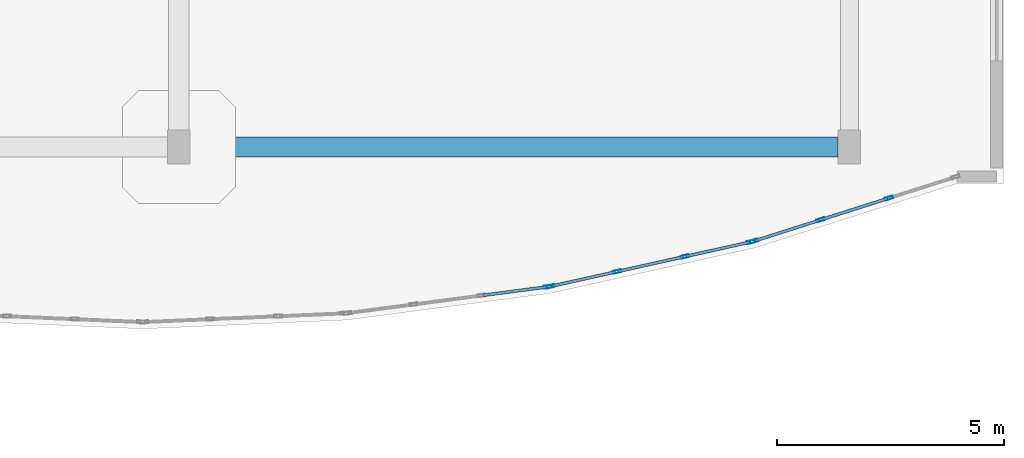
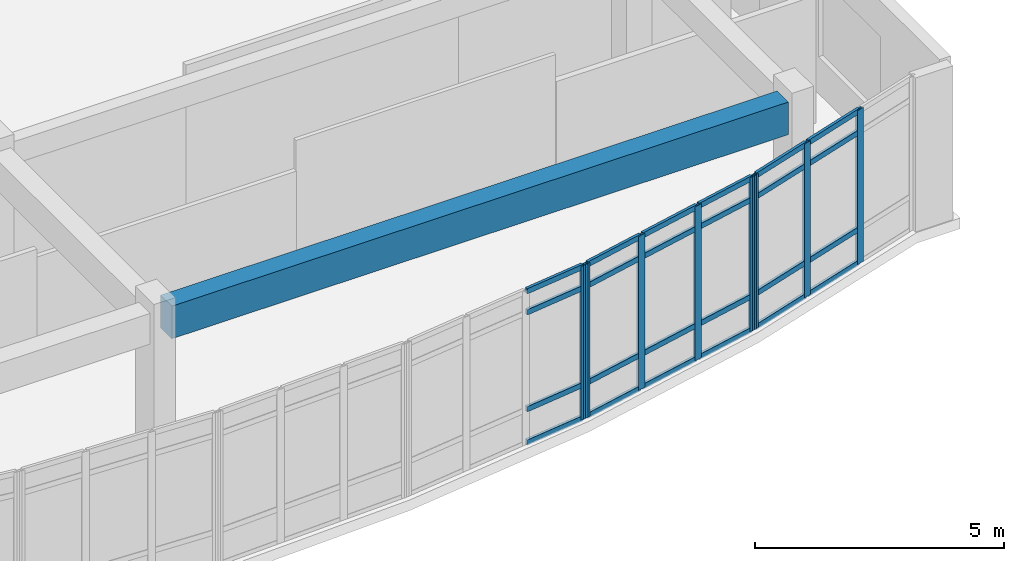
# One storey, part 55 of 91: 32 members, 1 beam, 3 elements without a shape of their own.
"""IFC4 building model written with IfcOpenShell, lengths in metres."""

from ifc_helpers import new_model, si_unit, direction, frame, origin, origin_2d, place, context, subcontext, project, spatial, rectangle, hollow_rectangle, extrude, material, layer, layer_set, material_profile, profile_set, type_object, element, aggregate, save


model = new_model("IFC4")

# Units and contexts
model_context = context("Model", 3, precision=1e-05, world=origin(), true_north=direction((0.0, 1.0)))
body_context = subcontext(model_context, "Body", "Model", "MODEL_VIEW")
ifc_project = project(units=[si_unit("LENGTHUNIT", "METRE"), si_unit("AREAUNIT", "SQUARE_METRE"), si_unit("VOLUMEUNIT", "CUBIC_METRE"), si_unit("PLANEANGLEUNIT", "RADIAN"), si_unit("MASSUNIT", "GRAM", prefix="KILO")], contexts=[model_context])

# Site, building, storey
site_placement = place(None, origin())
site = spatial("IfcSite", under=ifc_project, at=site_placement, CompositionType="ELEMENT")
building_placement = place(site_placement, origin())
building = spatial("IfcBuilding", under=site, at=building_placement, Name="Valcora Specialist Clinic", CompositionType="ELEMENT")
storey_placement = place(building_placement, frame((0.0, 0.0, 13.60009765625)))
storey = spatial("IfcBuildingStorey", under=building, at=storey_placement, Name="L03", CompositionType="ELEMENT", Elevation=13.60009765625)

# Beam
ifc_material_1 = material(Name="Concrete C40/50", Category="concrete")
ifc_material_profile_1 = material_profile(ifc_material_1, rectangle(XDim=0.449951171875, YDim=0.800048828125, at=origin_2d()), Name="RC-BM-450X800")
ifc_profile_set_1 = profile_set([ifc_material_profile_1], Name="Concrete C40/50")
beam_type = type_object("IfcBeamType", Name="TY-BM-RC450X800", PredefinedType="BEAM", material=ifc_profile_set_1)
beam_placement = place(storey_placement, frame((111.449951171875, 74.800048828125, 3.375), z_axis=(1.0, 0.0, 0.0), x_axis=(0.0, 1.0, 0.0)))
element("IfcBeam", 1, at=beam_placement, inside=storey, type_object=beam_type, Name="Beam BM-L03-0774", PredefinedType="BEAM", context=body_context, shape_type="SweptSolid", body=[
    extrude(rectangle(XDim=0.449951171875, YDim=0.800048828125, at=origin_2d()), origin(), (0.0, 0.0, 1.0), 14.300048828125),
])

# Curtain wall, members
ifc_material_2 = material(Name="Anodized Bronze Aluminium 6063-T6", Category="aluminium")
ifc_layer = layer(ifc_material_2, 0.175048828125)
ifc_layer_set = layer_set([ifc_layer], Name="Anodized Bronze Aluminium 6063-T6")
curtain_wall_type = type_object("IfcCurtainWallType", Name="TY-CW-ARC40", PredefinedType="NOTDEFINED", material=ifc_layer_set)
curtain_wall_1_placement = place(storey_placement, origin())
curtain_wall_1 = element("IfcCurtainWall", 2, at=curtain_wall_1_placement, inside=storey, type_object=curtain_wall_type, Name="Curtain wall CW-L03-117", PredefinedType="NOTDEFINED")
ifc_material_profile_2 = material_profile(ifc_material_2, hollow_rectangle(XDim=0.06494140625, YDim=0.175048828125, WallThickness=0.00390625, at=origin_2d()), Name="AL-MUL-65X175")
ifc_profile_set_2 = profile_set([ifc_material_profile_2], Name="Anodized Bronze Aluminium 6063-T6")
member_type_1 = type_object("IfcMemberType", Name="TY-CWM-65X175", PredefinedType="MULLION", material=ifc_profile_set_2)
member_1_placement = place(storey_placement, frame((126.871337890625, 73.6708984375, 0.0), z_axis=(0.0, 0.0, 1.0), x_axis=(0.303233270958, -0.952916356972, 0.0)))
member_1 = element("IfcMember", 3, at=member_1_placement, type_object=member_type_1, Name="CW-ARC-40 mullion 2", PredefinedType="MULLION", context=body_context, shape_type="SweptSolid", body=[
    extrude(hollow_rectangle(XDim=0.06494140625, YDim=0.175048828125, WallThickness=0.00390625, at=origin_2d()), origin(), (0.0, 0.0, 1.0), 3.77490234375),
])
member_2_placement = place(storey_placement, frame((125.3662109375, 73.19189453125, 0.0), z_axis=(0.0, 0.0, 1.0), x_axis=(0.303233270958, -0.952916356972, 0.0)))
member_2 = element("IfcMember", 4, at=member_2_placement, type_object=member_type_1, Name="CW-ARC-40 mullion 3", PredefinedType="MULLION", context=body_context, shape_type="SweptSolid", body=[
    extrude(hollow_rectangle(XDim=0.06494140625, YDim=0.175048828125, WallThickness=0.00390625, at=origin_2d()), origin(), (0.0, 0.0, 1.0), 3.77490234375),
])
member_3_placement = place(storey_placement, frame((123.891845703125, 72.722900390625, 0.0), z_axis=(0.0, 0.0, 1.0), x_axis=(0.303233270958, -0.952916356972, 0.0)))
member_3 = element("IfcMember", 5, at=member_3_placement, type_object=member_type_1, Name="CW-ARC-40 mullion 4", PredefinedType="MULLION", context=body_context, shape_type="SweptSolid", body=[
    extrude(hollow_rectangle(XDim=0.06494140625, YDim=0.175048828125, WallThickness=0.00390625, at=origin_2d()), origin(), (0.0, 0.0, 1.0), 3.77490234375),
])

curtain_wall_2_placement = place(storey_placement, origin())
curtain_wall_2 = element("IfcCurtainWall", 6, at=curtain_wall_2_placement, inside=storey, type_object=curtain_wall_type, Name="Curtain wall CW-L03-118", PredefinedType="NOTDEFINED")
member_4_placement = place(storey_placement, frame((123.8291015625, 72.7060546875, 0.0), z_axis=(0.0, 0.0, 1.0), x_axis=(0.216518052372, -0.976278614432, 0.0)))
member_4 = element("IfcMember", 7, at=member_4_placement, type_object=member_type_1, Name="CW-ARC-40 mullion 1", PredefinedType="MULLION", context=body_context, shape_type="SweptSolid", body=[
    extrude(hollow_rectangle(XDim=0.06494140625, YDim=0.175048828125, WallThickness=0.00390625, at=origin_2d()), origin(), (0.0, 0.0, 1.0), 3.77490234375),
])
member_5_placement = place(storey_placement, frame((122.365234375, 72.38134765625, 0.0), z_axis=(0.0, 0.0, 1.0), x_axis=(0.216518052372, -0.976278614432, 0.0)))
member_5 = element("IfcMember", 8, at=member_5_placement, type_object=member_type_1, Name="CW-ARC-40 mullion 2", PredefinedType="MULLION", context=body_context, shape_type="SweptSolid", body=[
    extrude(hollow_rectangle(XDim=0.06494140625, YDim=0.175048828125, WallThickness=0.00390625, at=origin_2d()), origin(), (0.0, 0.0, 1.0), 3.77490234375),
])
member_6_placement = place(storey_placement, frame((120.86962890625, 72.049560546875, 0.0), z_axis=(0.0, 0.0, 1.0), x_axis=(0.216518052372, -0.976278614432, 0.0)))
member_6 = element("IfcMember", 9, at=member_6_placement, type_object=member_type_1, Name="CW-ARC-40 mullion 3", PredefinedType="MULLION", context=body_context, shape_type="SweptSolid", body=[
    extrude(hollow_rectangle(XDim=0.06494140625, YDim=0.175048828125, WallThickness=0.00390625, at=origin_2d()), origin(), (0.0, 0.0, 1.0), 3.77490234375),
])
member_7_placement = place(storey_placement, frame((119.40576171875, 71.724853515625, 0.0), z_axis=(0.0, 0.0, 1.0), x_axis=(0.216518052372, -0.976278614432, 0.0)))
member_7 = element("IfcMember", 10, at=member_7_placement, type_object=member_type_1, Name="CW-ARC-40 mullion 4", PredefinedType="MULLION", context=body_context, shape_type="SweptSolid", body=[
    extrude(hollow_rectangle(XDim=0.06494140625, YDim=0.175048828125, WallThickness=0.00390625, at=origin_2d()), origin(), (0.0, 0.0, 1.0), 3.77490234375),
])

# Curtain wall, member
curtain_wall_3_placement = place(storey_placement, origin())
curtain_wall_3 = element("IfcCurtainWall", 11, at=curtain_wall_3_placement, inside=storey, type_object=curtain_wall_type, Name="Curtain wall CW-L03-119", PredefinedType="NOTDEFINED")
member_8_placement = place(storey_placement, frame((119.341796875, 71.713623046875, 0.0), z_axis=(0.0, 0.0, 1.0), x_axis=(0.129999492259, -0.991514060421, 0.0)))
member_8 = element("IfcMember", 12, at=member_8_placement, type_object=member_type_1, Name="CW-ARC-40 mullion 1", PredefinedType="MULLION", context=body_context, shape_type="SweptSolid", body=[
    extrude(hollow_rectangle(XDim=0.06494140625, YDim=0.175048828125, WallThickness=0.00390625, at=origin_2d()), origin(), (0.0, 0.0, 1.0), 3.77490234375),
])

# Member
ifc_material_profile_3 = material_profile(ifc_material_2, hollow_rectangle(XDim=0.06494140625, YDim=0.1298828125, WallThickness=0.00390625, at=origin_2d()), Name="AL-TRN-65X130")
ifc_profile_set_3 = profile_set([ifc_material_profile_3], Name="Anodized Bronze Aluminium 6063-T6")
member_type_2 = type_object("IfcMemberType", Name="TY-CWT-65X130", PredefinedType="USERDEFINED", material=ifc_profile_set_3)
member_9_placement = place(storey_placement, frame((126.840576171875, 73.6611328125, 0.032470703125), z_axis=(-0.952930013692, -0.303190351109, 0.0), x_axis=(0.303190351109, -0.952930013692, 0.0)))
member_9 = element("IfcMember", 13, at=member_9_placement, type_object=member_type_2, Name="CW-ARC-40 transom 2.1", ObjectType="TRANSOM", PredefinedType="USERDEFINED", context=body_context, shape_type="SweptSolid", body=[
    extrude(hollow_rectangle(XDim=0.06494140625, YDim=0.1298828125, WallThickness=0.00390625, at=origin_2d()), origin(), (0.0, 0.0, 1.0), 1.5146484375),
])

member_10_placement = place(storey_placement, frame((126.840576171875, 73.6611328125, 0.849853515625), z_axis=(-0.952930013692, -0.303190351109, 0.0), x_axis=(0.303190351109, -0.952930013692, 0.0)))
member_10 = element("IfcMember", 14, at=member_10_placement, type_object=member_type_2, Name="CW-ARC-40 transom 2.2", ObjectType="TRANSOM", PredefinedType="USERDEFINED", context=body_context, shape_type="SweptSolid", body=[
    extrude(hollow_rectangle(XDim=0.06494140625, YDim=0.1298828125, WallThickness=0.00390625, at=origin_2d()), origin(), (0.0, 0.0, 1.0), 1.5146484375),
])

member_11_placement = place(storey_placement, frame((126.840576171875, 73.6611328125, 3.224853515625), z_axis=(-0.952930013692, -0.303190351109, 0.0), x_axis=(0.303190351109, -0.952930013692, 0.0)))
member_11 = element("IfcMember", 15, at=member_11_placement, type_object=member_type_2, Name="CW-ARC-40 transom 2.3", ObjectType="TRANSOM", PredefinedType="USERDEFINED", context=body_context, shape_type="SweptSolid", body=[
    extrude(hollow_rectangle(XDim=0.06494140625, YDim=0.1298828125, WallThickness=0.00390625, at=origin_2d()), origin(), (0.0, 0.0, 1.0), 1.5146484375),
])

member_12_placement = place(storey_placement, frame((126.840576171875, 73.6611328125, 3.742431640625), z_axis=(-0.952930013692, -0.303190351109, 0.0), x_axis=(0.303190351109, -0.952930013692, 0.0)))
member_12 = element("IfcMember", 16, at=member_12_placement, type_object=member_type_2, Name="CW-ARC-40 transom 2.4", ObjectType="TRANSOM", PredefinedType="USERDEFINED", context=body_context, shape_type="SweptSolid", body=[
    extrude(hollow_rectangle(XDim=0.06494140625, YDim=0.1298828125, WallThickness=0.00390625, at=origin_2d()), origin(), (0.0, 0.0, 1.0), 1.5146484375),
])

member_13_placement = place(storey_placement, frame((125.335205078125, 73.18212890625, 0.032470703125), z_axis=(-0.952910635624, -0.303251249816, 0.0), x_axis=(0.303251249816, -0.952910635624, 0.0)))
member_13 = element("IfcMember", 17, at=member_13_placement, type_object=member_type_2, Name="CW-ARC-40 transom 3.1", ObjectType="TRANSOM", PredefinedType="USERDEFINED", context=body_context, shape_type="SweptSolid", body=[
    extrude(hollow_rectangle(XDim=0.06494140625, YDim=0.1298828125, WallThickness=0.00390625, at=origin_2d()), origin(), (0.0, 0.0, 1.0), 1.482177734375),
])

member_14_placement = place(storey_placement, frame((125.335205078125, 73.18212890625, 0.849853515625), z_axis=(-0.952910635624, -0.303251249816, 0.0), x_axis=(0.303251249816, -0.952910635624, 0.0)))
member_14 = element("IfcMember", 18, at=member_14_placement, type_object=member_type_2, Name="CW-ARC-40 transom 3.2", ObjectType="TRANSOM", PredefinedType="USERDEFINED", context=body_context, shape_type="SweptSolid", body=[
    extrude(hollow_rectangle(XDim=0.06494140625, YDim=0.1298828125, WallThickness=0.00390625, at=origin_2d()), origin(), (0.0, 0.0, 1.0), 1.482177734375),
])

member_15_placement = place(storey_placement, frame((125.335205078125, 73.18212890625, 3.224853515625), z_axis=(-0.952910635624, -0.303251249816, 0.0), x_axis=(0.303251249816, -0.952910635624, 0.0)))
member_15 = element("IfcMember", 19, at=member_15_placement, type_object=member_type_2, Name="CW-ARC-40 transom 3.3", ObjectType="TRANSOM", PredefinedType="USERDEFINED", context=body_context, shape_type="SweptSolid", body=[
    extrude(hollow_rectangle(XDim=0.06494140625, YDim=0.1298828125, WallThickness=0.00390625, at=origin_2d()), origin(), (0.0, 0.0, 1.0), 1.482177734375),
])

member_16_placement = place(storey_placement, frame((125.335205078125, 73.18212890625, 3.742431640625), z_axis=(-0.952910635624, -0.303251249816, 0.0), x_axis=(0.303251249816, -0.952910635624, 0.0)))
member_16 = element("IfcMember", 20, at=member_16_placement, type_object=member_type_2, Name="CW-ARC-40 transom 3.4", ObjectType="TRANSOM", PredefinedType="USERDEFINED", context=body_context, shape_type="SweptSolid", body=[
    extrude(hollow_rectangle(XDim=0.06494140625, YDim=0.1298828125, WallThickness=0.00390625, at=origin_2d()), origin(), (0.0, 0.0, 1.0), 1.482177734375),
])

aggregate(curtain_wall_1, [member_1, member_2, member_3, member_9, member_10, member_11, member_12, member_13, member_14, member_15, member_16])

member_17_placement = place(storey_placement, frame((123.79736328125, 72.698974609375, 0.032470703125), z_axis=(-0.976283078872, -0.216497921256, 0.0), x_axis=(0.216497921256, -0.976283078872, 0.0)))
member_17 = element("IfcMember", 21, at=member_17_placement, type_object=member_type_2, Name="CW-ARC-40 transom 1.1", ObjectType="TRANSOM", PredefinedType="USERDEFINED", context=body_context, shape_type="SweptSolid", body=[
    extrude(hollow_rectangle(XDim=0.06494140625, YDim=0.1298828125, WallThickness=0.00390625, at=origin_2d()), origin(), (0.0, 0.0, 1.0), 1.434326171875),
])

member_18_placement = place(storey_placement, frame((123.79736328125, 72.698974609375, 0.849853515625), z_axis=(-0.976283078872, -0.216497921256, 0.0), x_axis=(0.216497921256, -0.976283078872, 0.0)))
member_18 = element("IfcMember", 22, at=member_18_placement, type_object=member_type_2, Name="CW-ARC-40 transom 1.2", ObjectType="TRANSOM", PredefinedType="USERDEFINED", context=body_context, shape_type="SweptSolid", body=[
    extrude(hollow_rectangle(XDim=0.06494140625, YDim=0.1298828125, WallThickness=0.00390625, at=origin_2d()), origin(), (0.0, 0.0, 1.0), 1.434326171875),
])

member_19_placement = place(storey_placement, frame((123.79736328125, 72.698974609375, 3.224853515625), z_axis=(-0.976283078872, -0.216497921256, 0.0), x_axis=(0.216497921256, -0.976283078872, 0.0)))
member_19 = element("IfcMember", 23, at=member_19_placement, type_object=member_type_2, Name="CW-ARC-40 transom 1.3", ObjectType="TRANSOM", PredefinedType="USERDEFINED", context=body_context, shape_type="SweptSolid", body=[
    extrude(hollow_rectangle(XDim=0.06494140625, YDim=0.1298828125, WallThickness=0.00390625, at=origin_2d()), origin(), (0.0, 0.0, 1.0), 1.434326171875),
])

member_20_placement = place(storey_placement, frame((123.79736328125, 72.698974609375, 3.742431640625), z_axis=(-0.976283078872, -0.216497921256, 0.0), x_axis=(0.216497921256, -0.976283078872, 0.0)))
member_20 = element("IfcMember", 24, at=member_20_placement, type_object=member_type_2, Name="CW-ARC-40 transom 1.4", ObjectType="TRANSOM", PredefinedType="USERDEFINED", context=body_context, shape_type="SweptSolid", body=[
    extrude(hollow_rectangle(XDim=0.06494140625, YDim=0.1298828125, WallThickness=0.00390625, at=origin_2d()), origin(), (0.0, 0.0, 1.0), 1.434326171875),
])

member_21_placement = place(storey_placement, frame((122.33349609375, 72.374267578125, 0.032470703125), z_axis=(-0.976277043921, -0.216525133676, 0.0), x_axis=(0.216525133676, -0.976277043921, 0.0)))
member_21 = element("IfcMember", 25, at=member_21_placement, type_object=member_type_2, Name="CW-ARC-40 transom 2.1", ObjectType="TRANSOM", PredefinedType="USERDEFINED", context=body_context, shape_type="SweptSolid", body=[
    extrude(hollow_rectangle(XDim=0.06494140625, YDim=0.1298828125, WallThickness=0.00390625, at=origin_2d()), origin(), (0.0, 0.0, 1.0), 1.467041015625),
])

member_22_placement = place(storey_placement, frame((122.33349609375, 72.374267578125, 0.849853515625), z_axis=(-0.976277043921, -0.216525133676, 0.0), x_axis=(0.216525133676, -0.976277043921, 0.0)))
member_22 = element("IfcMember", 26, at=member_22_placement, type_object=member_type_2, Name="CW-ARC-40 transom 2.2", ObjectType="TRANSOM", PredefinedType="USERDEFINED", context=body_context, shape_type="SweptSolid", body=[
    extrude(hollow_rectangle(XDim=0.06494140625, YDim=0.1298828125, WallThickness=0.00390625, at=origin_2d()), origin(), (0.0, 0.0, 1.0), 1.467041015625),
])

member_23_placement = place(storey_placement, frame((122.33349609375, 72.374267578125, 3.224853515625), z_axis=(-0.976277043921, -0.216525133676, 0.0), x_axis=(0.216525133676, -0.976277043921, 0.0)))
member_23 = element("IfcMember", 27, at=member_23_placement, type_object=member_type_2, Name="CW-ARC-40 transom 2.3", ObjectType="TRANSOM", PredefinedType="USERDEFINED", context=body_context, shape_type="SweptSolid", body=[
    extrude(hollow_rectangle(XDim=0.06494140625, YDim=0.1298828125, WallThickness=0.00390625, at=origin_2d()), origin(), (0.0, 0.0, 1.0), 1.467041015625),
])

member_24_placement = place(storey_placement, frame((122.33349609375, 72.374267578125, 3.742431640625), z_axis=(-0.976277043921, -0.216525133676, 0.0), x_axis=(0.216525133676, -0.976277043921, 0.0)))
member_24 = element("IfcMember", 28, at=member_24_placement, type_object=member_type_2, Name="CW-ARC-40 transom 2.4", ObjectType="TRANSOM", PredefinedType="USERDEFINED", context=body_context, shape_type="SweptSolid", body=[
    extrude(hollow_rectangle(XDim=0.06494140625, YDim=0.1298828125, WallThickness=0.00390625, at=origin_2d()), origin(), (0.0, 0.0, 1.0), 1.467041015625),
])

member_25_placement = place(storey_placement, frame((120.837890625, 72.04248046875, 0.032470703125), z_axis=(-0.976283078872, -0.216497921256, 0.0), x_axis=(0.216497921256, -0.976283078872, 0.0)))
member_25 = element("IfcMember", 29, at=member_25_placement, type_object=member_type_2, Name="CW-ARC-40 transom 3.1", ObjectType="TRANSOM", PredefinedType="USERDEFINED", context=body_context, shape_type="SweptSolid", body=[
    extrude(hollow_rectangle(XDim=0.06494140625, YDim=0.1298828125, WallThickness=0.00390625, at=origin_2d()), origin(), (0.0, 0.0, 1.0), 1.434326171875),
])

member_26_placement = place(storey_placement, frame((120.837890625, 72.04248046875, 0.849853515625), z_axis=(-0.976283078872, -0.216497921256, 0.0), x_axis=(0.216497921256, -0.976283078872, 0.0)))
member_26 = element("IfcMember", 30, at=member_26_placement, type_object=member_type_2, Name="CW-ARC-40 transom 3.2", ObjectType="TRANSOM", PredefinedType="USERDEFINED", context=body_context, shape_type="SweptSolid", body=[
    extrude(hollow_rectangle(XDim=0.06494140625, YDim=0.1298828125, WallThickness=0.00390625, at=origin_2d()), origin(), (0.0, 0.0, 1.0), 1.434326171875),
])

member_27_placement = place(storey_placement, frame((120.837890625, 72.04248046875, 3.224853515625), z_axis=(-0.976283078872, -0.216497921256, 0.0), x_axis=(0.216497921256, -0.976283078872, 0.0)))
member_27 = element("IfcMember", 31, at=member_27_placement, type_object=member_type_2, Name="CW-ARC-40 transom 3.3", ObjectType="TRANSOM", PredefinedType="USERDEFINED", context=body_context, shape_type="SweptSolid", body=[
    extrude(hollow_rectangle(XDim=0.06494140625, YDim=0.1298828125, WallThickness=0.00390625, at=origin_2d()), origin(), (0.0, 0.0, 1.0), 1.434326171875),
])

member_28_placement = place(storey_placement, frame((120.837890625, 72.04248046875, 3.742431640625), z_axis=(-0.976283078872, -0.216497921256, 0.0), x_axis=(0.216497921256, -0.976283078872, 0.0)))
member_28 = element("IfcMember", 32, at=member_28_placement, type_object=member_type_2, Name="CW-ARC-40 transom 3.4", ObjectType="TRANSOM", PredefinedType="USERDEFINED", context=body_context, shape_type="SweptSolid", body=[
    extrude(hollow_rectangle(XDim=0.06494140625, YDim=0.1298828125, WallThickness=0.00390625, at=origin_2d()), origin(), (0.0, 0.0, 1.0), 1.434326171875),
])

aggregate(curtain_wall_2, [member_4, member_5, member_6, member_7, member_17, member_18, member_19, member_20, member_21, member_22, member_23, member_24, member_25, member_26, member_27, member_28])

member_29_placement = place(storey_placement, frame((119.3095703125, 71.70947265625, 0.032470703125), z_axis=(-0.991520133728, -0.129953162379, 0.0), x_axis=(0.129953162379, -0.991520133728, 0.0)))
member_29 = element("IfcMember", 33, at=member_29_placement, type_object=member_type_2, Name="CW-ARC-40 transom 1.1", ObjectType="TRANSOM", PredefinedType="USERDEFINED", context=body_context, shape_type="SweptSolid", body=[
    extrude(hollow_rectangle(XDim=0.06494140625, YDim=0.1298828125, WallThickness=0.00390625, at=origin_2d()), origin(), (0.0, 0.0, 1.0), 1.410888671875),
])

member_30_placement = place(storey_placement, frame((119.3095703125, 71.70947265625, 0.849853515625), z_axis=(-0.991520133728, -0.129953162379, 0.0), x_axis=(0.129953162379, -0.991520133728, 0.0)))
member_30 = element("IfcMember", 34, at=member_30_placement, type_object=member_type_2, Name="CW-ARC-40 transom 1.2", ObjectType="TRANSOM", PredefinedType="USERDEFINED", context=body_context, shape_type="SweptSolid", body=[
    extrude(hollow_rectangle(XDim=0.06494140625, YDim=0.1298828125, WallThickness=0.00390625, at=origin_2d()), origin(), (0.0, 0.0, 1.0), 1.410888671875),
])

member_31_placement = place(storey_placement, frame((119.3095703125, 71.70947265625, 3.224853515625), z_axis=(-0.991520133728, -0.129953162379, 0.0), x_axis=(0.129953162379, -0.991520133728, 0.0)))
member_31 = element("IfcMember", 35, at=member_31_placement, type_object=member_type_2, Name="CW-ARC-40 transom 1.3", ObjectType="TRANSOM", PredefinedType="USERDEFINED", context=body_context, shape_type="SweptSolid", body=[
    extrude(hollow_rectangle(XDim=0.06494140625, YDim=0.1298828125, WallThickness=0.00390625, at=origin_2d()), origin(), (0.0, 0.0, 1.0), 1.410888671875),
])

member_32_placement = place(storey_placement, frame((119.3095703125, 71.70947265625, 3.742431640625), z_axis=(-0.991520133728, -0.129953162379, 0.0), x_axis=(0.129953162379, -0.991520133728, 0.0)))
member_32 = element("IfcMember", 36, at=member_32_placement, type_object=member_type_2, Name="CW-ARC-40 transom 1.4", ObjectType="TRANSOM", PredefinedType="USERDEFINED", context=body_context, shape_type="SweptSolid", body=[
    extrude(hollow_rectangle(XDim=0.06494140625, YDim=0.1298828125, WallThickness=0.00390625, at=origin_2d()), origin(), (0.0, 0.0, 1.0), 1.410888671875),
])

aggregate(curtain_wall_3, [member_8, member_29, member_30, member_31, member_32])

save(model, "model.ifc")
